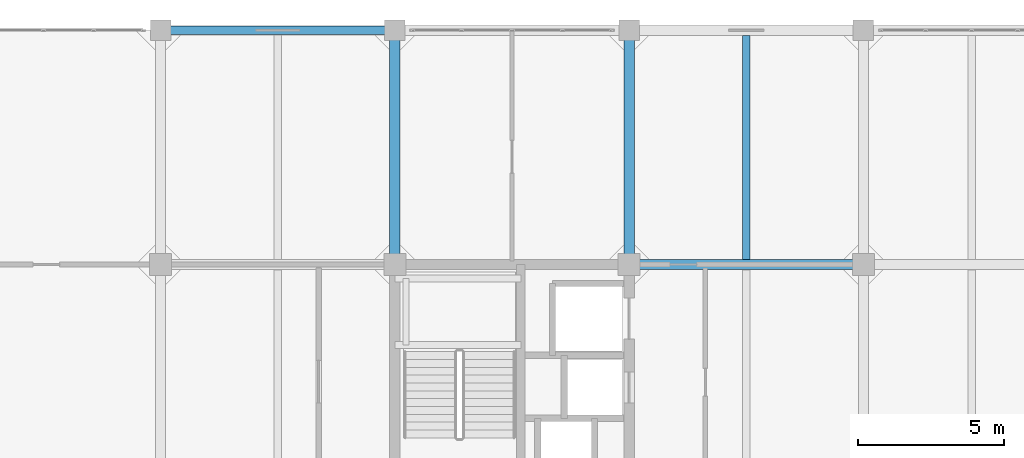
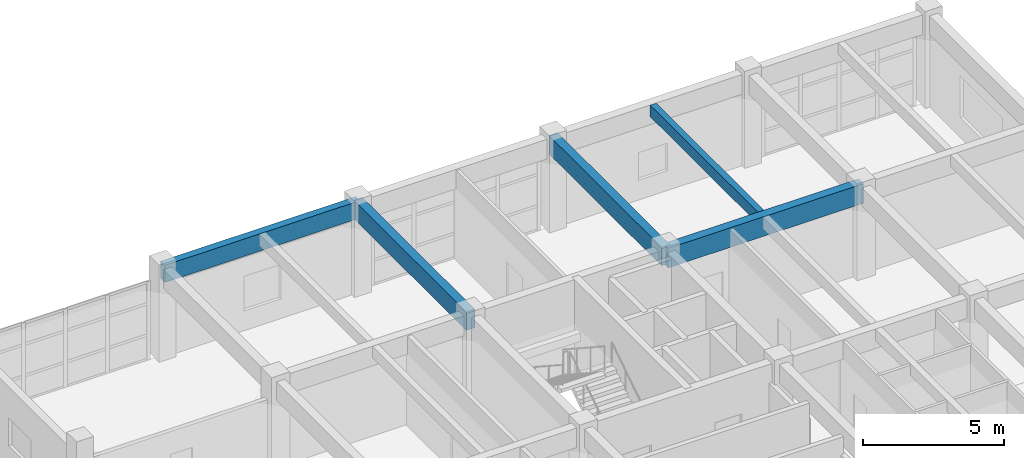
# One storey, part 15 of 27: 5 beams.
"""IFC4 building model written with IfcOpenShell, lengths in metres."""

from ifc_helpers import new_model, si_unit, direction, frame, origin, origin_2d, place, context, subcontext, project, spatial, rectangle, extrude, material, material_profile, profile_set, type_object, element, save


model = new_model("IFC4")

# Units and contexts
model_context = context("Model", 3, precision=1e-05, world=origin(), true_north=direction((0.0, 1.0)))
body_context = subcontext(model_context, "Body", "Model", "MODEL_VIEW")
ifc_project = project(units=[si_unit("LENGTHUNIT", "METRE"), si_unit("AREAUNIT", "SQUARE_METRE"), si_unit("VOLUMEUNIT", "CUBIC_METRE"), si_unit("PLANEANGLEUNIT", "RADIAN"), si_unit("MASSUNIT", "GRAM", prefix="KILO")], contexts=[model_context])

# Site, building, storey
site_placement = place(None, origin())
site = spatial("IfcSite", under=ifc_project, at=site_placement, CompositionType="ELEMENT")
building_placement = place(site_placement, origin())
building = spatial("IfcBuilding", under=site, at=building_placement, Name="Canggui Botanical Conservatory", CompositionType="ELEMENT")
storey_placement = place(building_placement, frame((0.0, 0.0, 36.0)))
storey = spatial("IfcBuildingStorey", under=building, at=storey_placement, Name="L09", CompositionType="ELEMENT", Elevation=36.0)

# Beams
ifc_material = material(Name="Concrete C35", Category="concrete")
ifc_material_profile_1 = material_profile(ifc_material, rectangle(XDim=0.25, YDim=0.5, at=origin_2d()), Name="RB 250x500")
ifc_profile_set_1 = profile_set([ifc_material_profile_1], Name="Concrete C35")
beam_type_1 = type_object("IfcBeamType", Name="BM-JST04", PredefinedType="JOIST", material=ifc_profile_set_1)
beam_1_placement = place(storey_placement, frame((166.0, 66.179931640625, 3.7099609375), z_axis=(0.0, 1.0, 0.0), x_axis=(-1.0, 0.0, 0.0)))
element("IfcBeam", 1, at=beam_1_placement, inside=storey, type_object=beam_type_1, Name="Secondary Floor Joist L09-3-5", PredefinedType="JOIST", context=body_context, shape_type="SweptSolid", body=[
    extrude(rectangle(XDim=0.25, YDim=0.5, at=origin_2d()), origin(), (0.0, 0.0, 1.0), 7.64013671875),
])
ifc_material_profile_2 = material_profile(ifc_material, rectangle(XDim=0.35009765625, YDim=0.85009765625, at=origin_2d()), Name="RB 350x850")
ifc_profile_set_2 = profile_set([ifc_material_profile_2], Name="Concrete C35")
beam_type_2 = type_object("IfcBeamType", Name="BM-KL14", PredefinedType="BEAM", material=ifc_profile_set_2)
beam_2_placement = place(storey_placement, frame((162.0, 66.0, 3.534912109375), z_axis=(1.0, 0.0, 0.0), x_axis=(0.0, 1.0, 0.0)))
element("IfcBeam", 2, at=beam_2_placement, inside=storey, type_object=beam_type_2, Name="Frame Girder L09 Y66-3", PredefinedType="BEAM", context=body_context, shape_type="SweptSolid", body=[
    extrude(rectangle(XDim=0.35009765625, YDim=0.85009765625, at=origin_2d()), origin(), (0.0, 0.0, 1.0), 8.0),
])
ifc_material_profile_3 = material_profile(ifc_material, rectangle(XDim=0.35009765625, YDim=0.800048828125, at=origin_2d()), Name="RB 350x800")
ifc_profile_set_3 = profile_set([ifc_material_profile_3], Name="Concrete C35")
beam_type_3 = type_object("IfcBeamType", Name="BM-KL15", PredefinedType="BEAM", material=ifc_profile_set_3)
for number, where, z_axis, x_axis, name in (
    (3, (154.0, 66.0, 3.56005859375), (0.0, 1.0, 0.0), (-1.0, 0.0, 0.0), "Frame Girder L09 X154-5"),
    (4, (162.0, 66.0, 3.56005859375), (0.0, 1.0, 0.0), (-1.0, 0.0, 0.0), "Frame Girder L09 X162-5"),
):
    element("IfcBeam", number, at=place(storey_placement, frame(where, z_axis=z_axis, x_axis=x_axis)), inside=storey, type_object=beam_type_3, Name=name, PredefinedType="BEAM", context=body_context, shape_type="SweptSolid", body=[
        extrude(rectangle(XDim=0.35009765625, YDim=0.800048828125, at=origin_2d()), origin(), (0.0, 0.0, 1.0), 8.0),
    ])
ifc_material_profile_4 = material_profile(ifc_material, rectangle(XDim=0.300048828125, YDim=0.75, at=origin_2d()), Name="RB 300x750")
ifc_profile_set_4 = profile_set([ifc_material_profile_4], Name="Concrete C35")
beam_type_4 = type_object("IfcBeamType", Name="BM-SPD01", PredefinedType="SPANDREL", material=ifc_profile_set_4)
beam_3_placement = place(storey_placement, frame((146.0, 74.0, 3.5849609375), z_axis=(1.0, 0.0, 0.0), x_axis=(0.0, 1.0, 0.0)))
element("IfcBeam", 5, at=beam_3_placement, inside=storey, type_object=beam_type_4, Name="Frame Girder L09 Y74-1", PredefinedType="SPANDREL", context=body_context, shape_type="SweptSolid", body=[
    extrude(rectangle(XDim=0.300048828125, YDim=0.75, at=origin_2d()), origin(), (0.0, 0.0, 1.0), 8.0),
])

save(model, "model.ifc")
